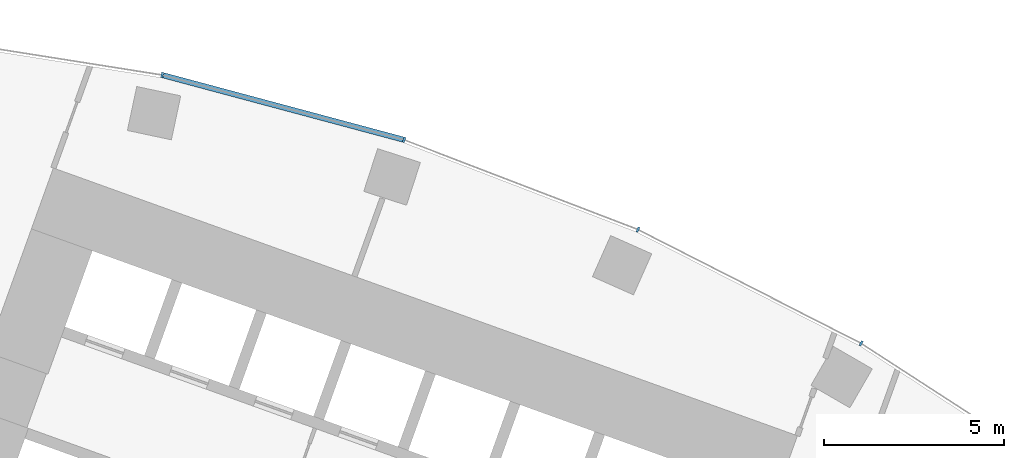
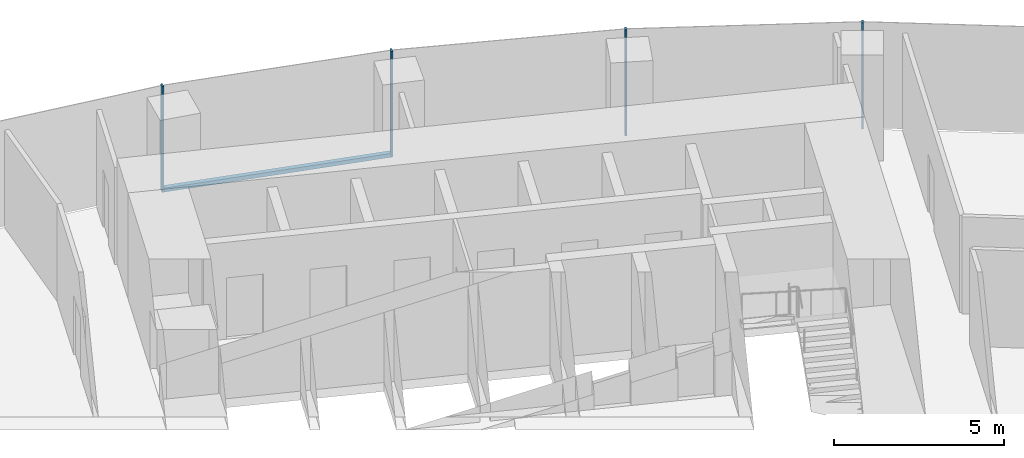
# One storey, part 11 of 21: 5 members, 1 element without a shape of its own.
"""IFC4 building model written with IfcOpenShell, lengths in metres."""

from ifc_helpers import new_model, si_unit, direction, frame, origin, origin_2d, place, context, subcontext, project, spatial, rectangle, extrude, material, layer, layer_set, material_profile, profile_set, type_object, element, aggregate, save


model = new_model("IFC4")

# Units and contexts
model_context = context("Model", 3, precision=1e-05, world=origin(), true_north=direction((0.0, 1.0)))
body_context = subcontext(model_context, "Body", "Model", "MODEL_VIEW")
ifc_project = project(units=[si_unit("LENGTHUNIT", "METRE"), si_unit("AREAUNIT", "SQUARE_METRE"), si_unit("VOLUMEUNIT", "CUBIC_METRE"), si_unit("PLANEANGLEUNIT", "RADIAN"), si_unit("MASSUNIT", "GRAM", prefix="KILO")], contexts=[model_context])

# Site, building, storey
site_placement = place(None, origin())
site = spatial("IfcSite", under=ifc_project, at=site_placement, CompositionType="ELEMENT")
building_placement = place(site_placement, origin())
building = spatial("IfcBuilding", under=site, at=building_placement, Name="Stone Belt Terrace Tower", CompositionType="ELEMENT")
storey_placement = place(building_placement, frame((0.0, 0.0, 49.0)))
storey = spatial("IfcBuildingStorey", under=building, at=storey_placement, Name="L11", CompositionType="ELEMENT", Elevation=49.0)

# Curtain wall, members
ifc_material = material(Name="Aluminium 6063-T6 anodised frame", Category="aluminium")
ifc_layer = layer(ifc_material, 0.14990234375)
ifc_layer_set = layer_set([ifc_layer], Name="CW-A unitised convex-face curtain wall")
curtain_wall_type = type_object("IfcCurtainWallType", Name="CW-A unitised convex-face curtain wall", PredefinedType="NOTDEFINED", material=ifc_layer_set)
curtain_wall_placement = place(storey_placement, origin())
curtain_wall = element("IfcCurtainWall", 1, at=curtain_wall_placement, inside=storey, type_object=curtain_wall_type, Name="CW-A convex face L11", PredefinedType="NOTDEFINED")
ifc_material_profile_1 = material_profile(ifc_material, rectangle(XDim=0.14990234375, YDim=0.06005859375, at=origin_2d()), Name="Aluminium 6063-T6 60x150")
ifc_profile_set_1 = profile_set([ifc_material_profile_1], Name="Aluminium 6063-T6 anodised frame")
member_type_1 = type_object("IfcMemberType", Name="CW-A mullion 60 x 150", PredefinedType="MULLION", material=ifc_profile_set_1)
member_1_placement = place(storey_placement, frame((33.28759765625, 57.65576171875, 0.0), z_axis=(0.0, 0.0, 1.0), x_axis=(-0.5, -0.866025403784, 0.0)))
member_1 = element("IfcMember", 2, at=member_1_placement, type_object=member_type_1, Name="CW-A mullion 5", PredefinedType="MULLION", context=body_context, shape_type="SweptSolid", body=[
    extrude(rectangle(XDim=0.14990234375, YDim=0.06005859375, at=origin_2d()), origin(), (0.0, 0.0, 1.0), 3.800048828125),
])
member_2_placement = place(storey_placement, frame((27.07861328125, 60.8193359375, 0.0), z_axis=(0.0, 0.0, 1.0), x_axis=(-0.406736643076, -0.913545457643, 0.0)))
member_2 = element("IfcMember", 3, at=member_2_placement, type_object=member_type_1, Name="CW-A mullion 6", PredefinedType="MULLION", context=body_context, shape_type="SweptSolid", body=[
    extrude(rectangle(XDim=0.14990234375, YDim=0.06005859375, at=origin_2d()), origin(), (0.0, 0.0, 1.0), 3.800048828125),
])
member_3_placement = place(storey_placement, frame((20.57275390625, 63.316650390625, 0.0), z_axis=(0.0, 0.0, 1.0), x_axis=(-0.309016994375, -0.951056516295, 0.0)))
member_3 = element("IfcMember", 4, at=member_3_placement, type_object=member_type_1, Name="CW-A mullion 7", PredefinedType="MULLION", context=body_context, shape_type="SweptSolid", body=[
    extrude(rectangle(XDim=0.14990234375, YDim=0.06005859375, at=origin_2d()), origin(), (0.0, 0.0, 1.0), 3.800048828125),
])
member_4_placement = place(storey_placement, frame((13.841796875, 65.120361328125, 0.0), z_axis=(0.0, 0.0, 1.0), x_axis=(-0.207911690818, -0.978147600734, 0.0)))
member_4 = element("IfcMember", 5, at=member_4_placement, type_object=member_type_1, Name="CW-A mullion 8", PredefinedType="MULLION", context=body_context, shape_type="SweptSolid", body=[
    extrude(rectangle(XDim=0.14990234375, YDim=0.06005859375, at=origin_2d()), origin(), (0.0, 0.0, 1.0), 3.800048828125),
])
ifc_material_profile_2 = material_profile(ifc_material, rectangle(XDim=0.14990234375, YDim=0.139892578125, at=origin_2d()), Name="Aluminium 6063-T6 150x140")
ifc_profile_set_2 = profile_set([ifc_material_profile_2], Name="Aluminium 6063-T6 anodised frame")
member_type_2 = type_object("IfcMemberType", Name="CW-A transom 140 x 150", PredefinedType="USERDEFINED", material=ifc_profile_set_2)
member_5_placement = place(storey_placement, frame((20.5400390625, 63.325439453125, 0.070068359375), z_axis=(-0.965921835863, 0.258833937117, 0.0), x_axis=(-0.258833937117, -0.965921835863, 0.0)))
member_5 = element("IfcMember", 6, at=member_5_placement, type_object=member_type_2, Name="CW-A transom 7.1", ObjectType="TRANSOM", PredefinedType="USERDEFINED", context=body_context, shape_type="SweptSolid", body=[
    extrude(rectangle(XDim=0.14990234375, YDim=0.139892578125, at=origin_2d()), origin(), (0.0, 0.0, 1.0), 6.900634765625),
])
aggregate(curtain_wall, [member_1, member_2, member_3, member_4, member_5])

save(model, "model.ifc")
